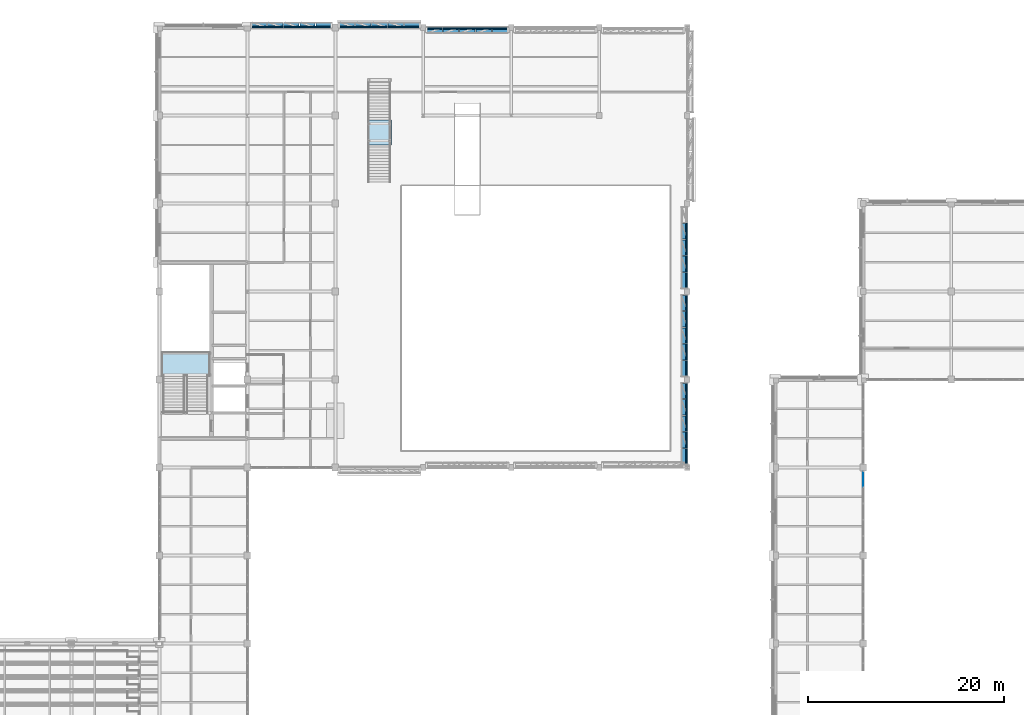
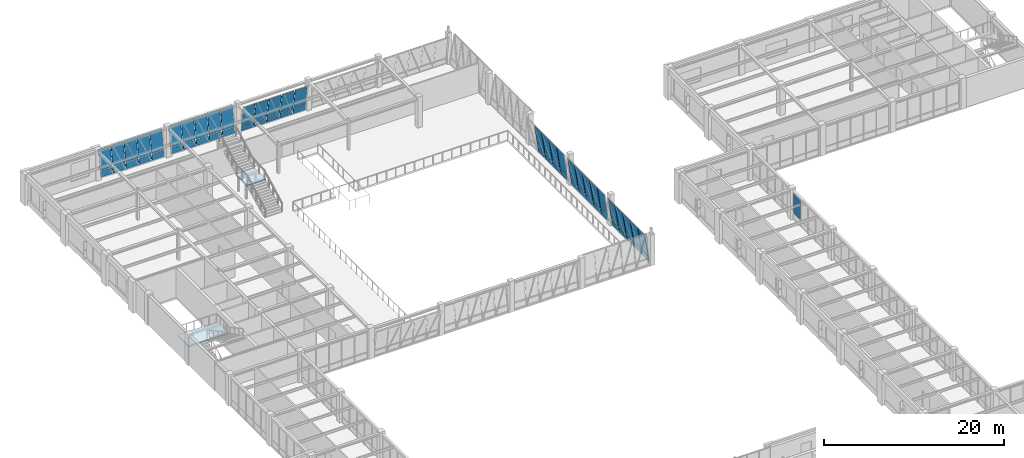
# One storey, part 84 of 108: 59 plates, 2 slabs, 9 elements without a shape of their own.
"""IFC4 building model written with IfcOpenShell, lengths in metres."""

import ifcopenshell
import ifcopenshell.guid

model = None  # the IFC model being written
_history = None  # IfcOwnerHistory: only IFC2X3 demands one
_inside = {}  # id of a spatial element -> (the spatial element, [elements in it])
_under = {}  # id of a project, library or spatial element -> (it, [spatial elements below it])
_declared = {}  # id of a project -> (the project, [libraries it declares])
_typed = {}  # id of a type object -> (the type object, [elements of that type])
_made_of = {}  # id of a material, layer set ... -> (it, [elements and type objects made of it])


def new_model(schema):
    """Start an empty IFC model of exactly this schema.

    Asked for "IFC4X3", IfcOpenShell would pick the latest addendum, in which some entities
    have other attributes; the version numbers below select the first issue.
    IFC2X3 requires an IfcOwnerHistory on every rooted entity: one is made here for all.
    """
    global model, _history
    if schema == "IFC4X3":
        model = ifcopenshell.file(schema_version=(4, 3, 0, 0))
    else:
        model = ifcopenshell.file(schema=schema)
    _inside.clear()
    _under.clear()
    _declared.clear()
    _typed.clear()
    _made_of.clear()
    _history = None
    if model.schema == "IFC2X3":
        org = make("IfcOrganization", Name="unknown")
        user = make(
            "IfcPersonAndOrganization",
            ThePerson=make("IfcPerson", FamilyName="unknown"),
            TheOrganization=org,
        )
        app = make(
            "IfcApplication",
            ApplicationDeveloper=org,
            Version="unknown",
            ApplicationFullName="unknown",
            ApplicationIdentifier="unknown",
        )
        _history = make(
            "IfcOwnerHistory",
            OwningUser=user,
            OwningApplication=app,
            ChangeAction="ADDED",
            CreationDate=0,
        )
    return model


def make(cls, **values):
    """One entity of the class cls with the attributes given. An attribute that is None is left unset."""
    return model.create_entity(
        cls, **{name: value for name, value in values.items() if value is not None}
    )


def rooted(cls, **values):
    """An entity with a GlobalId (a new one), such as an element, a storey or a relation."""
    return make(cls, GlobalId=ifcopenshell.guid.new(), OwnerHistory=_history, **values)


def si_unit(unit_type, name, prefix=None):
    """IfcSIUnit, for example si_unit("LENGTHUNIT", "METRE", prefix="MILLI")."""
    return make("IfcSIUnit", UnitType=unit_type, Prefix=prefix, Name=name)


def assignment(units):
    """IfcUnitAssignment: the units of a project."""
    return None if units is None else make("IfcUnitAssignment", Units=units)


def point(xyz):
    """IfcCartesianPoint."""
    return None if xyz is None else make("IfcCartesianPoint", Coordinates=xyz)


def direction(xyz):
    """IfcDirection."""
    return None if xyz is None else make("IfcDirection", DirectionRatios=xyz)


def frame(location, z_axis=None, x_axis=None):
    """IfcAxis2Placement3D, a coordinate frame: its origin and axes. An axis left out is left unset."""
    return make(
        "IfcAxis2Placement3D",
        Location=point(location),
        Axis=direction(z_axis),
        RefDirection=direction(x_axis),
    )


def frame_2d(location, x_axis=None):
    """IfcAxis2Placement2D, a coordinate frame in the plane: its origin and x axis."""
    return make(
        "IfcAxis2Placement2D", Location=point(location), RefDirection=direction(x_axis)
    )


def origin():
    """The frame at (0, 0, 0) with its axes left unset."""
    return frame((0.0, 0.0, 0.0))


def origin_2d():
    """The frame at (0, 0) in the plane with its x axis left unset."""
    return frame_2d((0.0, 0.0))


def place(relative_to, where):
    """IfcLocalPlacement: puts the frame where relative to a parent placement (None: the world)."""
    return make(
        "IfcLocalPlacement", PlacementRelTo=relative_to, RelativePlacement=where
    )


def context(
    kind, dimensions, precision=None, world=None, true_north=None, identifier=None
):
    """IfcGeometricRepresentationContext, for example the 3D "Model" context."""
    return make(
        "IfcGeometricRepresentationContext",
        ContextIdentifier=identifier,
        ContextType=kind,
        CoordinateSpaceDimension=dimensions,
        Precision=precision,
        WorldCoordinateSystem=world,
        TrueNorth=true_north,
    )


def subcontext(parent, identifier, kind, view, scale=None):
    """IfcGeometricRepresentationSubContext, for example "Body" below "Model"."""
    return make(
        "IfcGeometricRepresentationSubContext",
        ContextIdentifier=identifier,
        ContextType=kind,
        ParentContext=parent,
        TargetScale=scale,
        TargetView=view,
    )


def project(units=None, contexts=None):
    """IfcProject with its units and contexts."""
    return rooted(
        "IfcProject",
        Name="project",
        RepresentationContexts=contexts,
        UnitsInContext=assignment(units),
    )


def spatial(cls, under=None, at=None, **own):
    """A site, building, storey or space (cls), placed at a placement, below another one or the project."""
    s = rooted(cls, ObjectPlacement=at, **own)
    if under is not None:
        _under.setdefault(under.id(), (under, []))[1].append(s)
    return s


def polyline(points):
    """IfcPolyline through the points."""
    return make("IfcPolyline", Points=[point(p) for p in points])


def profile(cls, at=None, kind="AREA", **sizes):
    """A parametric profile (cls). Its sizes go by their IFC names, for example OverallWidth=200.0."""
    return make(cls, ProfileType=kind, Position=at, **sizes)


def rectangle(**sizes):
    """IfcRectangleProfileDef."""
    return profile("IfcRectangleProfileDef", **sizes)


def outline(outer, holes=None, kind="AREA"):
    """IfcArbitraryClosedProfileDef: a profile drawn as a closed curve; with holes, ...WithVoids."""
    if holes is None:
        return make("IfcArbitraryClosedProfileDef", ProfileType=kind, OuterCurve=outer)
    return make(
        "IfcArbitraryProfileDefWithVoids",
        ProfileType=kind,
        OuterCurve=outer,
        InnerCurves=holes,
    )


def extrude(swept, where, along, depth):
    """IfcExtrudedAreaSolid: the profile swept, set in the frame where, extruded along a direction by depth."""
    return make(
        "IfcExtrudedAreaSolid",
        SweptArea=swept,
        Position=where,
        ExtrudedDirection=direction(along),
        Depth=depth,
    )


def shape(context_of_items, identifier, shape_type, items):
    """IfcShapeRepresentation: the items that make up one representation, for example the "Body"."""
    return make(
        "IfcShapeRepresentation",
        ContextOfItems=context_of_items,
        RepresentationIdentifier=identifier,
        RepresentationType=shape_type,
        Items=items,
    )


def material(Name=None, Category=None):
    """IfcMaterial."""
    return make("IfcMaterial", Name=Name, Category=Category)


def layer(
    of_material, thickness, ventilated=None, Name=None, Category=None, Priority=None
):
    """IfcMaterialLayer: one layer of a wall or slab, of a material (None: an air gap)."""
    return make(
        "IfcMaterialLayer",
        Material=of_material,
        LayerThickness=thickness,
        IsVentilated=ventilated,
        Name=Name,
        Category=Category,
        Priority=Priority,
    )


def layer_set(layers, Name=None):
    """IfcMaterialLayerSet."""
    return make("IfcMaterialLayerSet", MaterialLayers=layers, LayerSetName=Name)


def made_of(thing, what):
    """Note that an element or type object is made of a material, layer set ...; save() writes the relation."""
    if what is not None:
        _made_of.setdefault(what.id(), (what, []))[1].append(thing)
    return thing


def type_object(cls, material=None, **own):
    """A type object (cls), such as IfcWallType, which elements share."""
    return made_of(rooted(cls, **own), material)


def element(
    cls,
    number,
    at=None,
    inside=None,
    cuts=None,
    type_object=None,
    material=None,
    context=None,
    identifier="Body",
    shape_type=None,
    held_by="IfcProductDefinitionShape",
    body=None,
    shapes=None,
    **own,
):
    """One element of the class cls, such as IfcWall. Its Tag is "e" and its number.

    at: its placement. inside: the storey or other place that contains it. cuts: it is an
    opening in that element (IfcRelVoidsElement). A single representation is given by context,
    identifier, shape_type and body (its items); several are given by shapes. held_by: the class
    of the entity that holds the representations. save() writes the other relations.
    """
    e = rooted(cls, Tag="e%d" % number, ObjectPlacement=at, **own)
    if body is not None:
        shapes = [shape(context, identifier, shape_type, body)]
    if shapes is not None:
        e.Representation = make(held_by, Representations=shapes)
    if inside is not None:
        _inside.setdefault(inside.id(), (inside, []))[1].append(e)
    if cuts is not None:
        rooted(
            "IfcRelVoidsElement", RelatingBuildingElement=cuts, RelatedOpeningElement=e
        )
    if type_object is not None:
        _typed.setdefault(type_object.id(), (type_object, []))[1].append(e)
    return made_of(e, material)


def aggregate(whole, parts):
    """IfcRelAggregates: a whole, such as a stair, and the parts it consists of."""
    return rooted("IfcRelAggregates", RelatingObject=whole, RelatedObjects=parts)


def save(model, path):
    """Write the relations noted so far, then the file.

    IfcRelAggregates (storeys below a building ...), IfcRelContainedInSpatialStructure (elements
    in a storey), IfcRelDefinesByType, IfcRelAssociatesMaterial and IfcRelDeclares: one each for
    every whole, place, type object, material and project.
    """
    for whole, parts in _under.values():
        aggregate(whole, parts)
    for where, things in _inside.values():
        rooted(
            "IfcRelContainedInSpatialStructure",
            RelatedElements=things,
            RelatingStructure=where,
        )
    for kind, things in _typed.values():
        rooted("IfcRelDefinesByType", RelatedObjects=things, RelatingType=kind)
    for what, things in _made_of.values():
        rooted("IfcRelAssociatesMaterial", RelatedObjects=things, RelatingMaterial=what)
    for by, libraries in _declared.values():
        rooted("IfcRelDeclares", RelatingContext=by, RelatedDefinitions=libraries)
    model.write(path)


model = new_model("IFC4")

# Units and contexts
model_context = context("Model", 3, precision=1e-05, world=origin(), true_north=direction((0.0, 1.0)))
body_context = subcontext(model_context, "Body", "Model", "MODEL_VIEW")
ifc_project = project(units=[si_unit("LENGTHUNIT", "METRE"), si_unit("AREAUNIT", "SQUARE_METRE"), si_unit("VOLUMEUNIT", "CUBIC_METRE"), si_unit("PLANEANGLEUNIT", "RADIAN"), si_unit("MASSUNIT", "GRAM", prefix="KILO")], contexts=[model_context])

# Site, building, storey
site_placement = place(None, origin())
site = spatial("IfcSite", under=ifc_project, at=site_placement, CompositionType="ELEMENT")
building_placement = place(site_placement, origin())
building = spatial("IfcBuilding", under=site, at=building_placement, Name="Lykobir Media Centre", CompositionType="ELEMENT")
storey_placement = place(building_placement, frame((0.0, 0.0, 15.0)))
storey = spatial("IfcBuildingStorey", under=building, at=storey_placement, Name="L03", CompositionType="ELEMENT", Elevation=15.0)

# Curtain wall, plate
ifc_material_1 = material(Name="Anodized Aluminium AW-6060", Category="aluminium")
curtain_wall_type_1 = type_object("IfcCurtainWallType", Name="CW-COURT-B", PredefinedType="NOTDEFINED", material=ifc_material_1)
curtain_wall_1_placement = place(storey_placement, origin())
curtain_wall_1 = element("IfcCurtainWall", 1, at=curtain_wall_1_placement, inside=storey, type_object=curtain_wall_type_1, Name="Curtain wall CW2-L03-0144", PredefinedType="NOTDEFINED")
ifc_material_2 = material(Name="Low-E Laminated Triple Glazing", Category="glass")
ifc_layer_1 = layer(ifc_material_2, 0.0380859375, Name="Low-E Laminated Triple Glazing")
ifc_layer_set_1 = layer_set([ifc_layer_1], Name="Low-E Laminated Triple Glazing")
plate_type_1 = type_object("IfcPlateType", Name="CWP-GLZ-38", PredefinedType="CURTAIN_PANEL", material=ifc_layer_set_1)
plate_1_placement = place(storey_placement, frame((99.0, 61.80224609375, 0.87744140625), z_axis=(0.0, 0.0, 1.0), x_axis=(0.0, -1.0, 0.0)))
plate_1 = element("IfcPlate", 2, at=plate_1_placement, type_object=plate_type_1, Name="CW2-L03-0144 panel 1.2", PredefinedType="CURTAIN_PANEL", context=body_context, shape_type="SweptSolid", body=[
    extrude(rectangle(XDim=1.575439453125, YDim=0.0380859375, at=origin_2d()), origin(), (0.0, 0.0, 1.0), 2.702392578125),
])
aggregate(curtain_wall_1, [plate_1])

# Curtain wall, plates
curtain_wall_type_2 = type_object("IfcCurtainWallType", Name="CW-V6-CR3", PredefinedType="NOTDEFINED", material=ifc_material_1)
curtain_wall_2_placement = place(storey_placement, origin())
curtain_wall_2 = element("IfcCurtainWall", 3, at=curtain_wall_2_placement, inside=storey, type_object=curtain_wall_type_2, Name="Curtain wall CW2-L03-0125", PredefinedType="NOTDEFINED")
ifc_layer_2 = layer(ifc_material_2, 0.0439453125, Name="Low-E Laminated Triple Glazing")
ifc_layer_set_2 = layer_set([ifc_layer_2], Name="Low-E Laminated Triple Glazing")
plate_type_2 = type_object("IfcPlateType", Name="CWP-GLZ-44", PredefinedType="CURTAIN_PANEL", material=ifc_layer_set_2)
plate_2_placement = place(storey_placement, frame((80.873291015625, 70.837158203125, 0.87841796875), z_axis=(-0.142628933706, 0.0, 0.989776230908), x_axis=(0.0, -1.0, 0.0)))
plate_2 = element("IfcPlate", 4, at=plate_2_placement, type_object=plate_type_2, Name="CW2-L03-0125 panel 1.2", PredefinedType="CURTAIN_PANEL", context=body_context, shape_type="SweptSolid", body=[
    extrude(rectangle(XDim=1.5654296875, YDim=0.0439453125, at=origin_2d()), origin(), (0.0, 0.0, 1.0), 3.018310546875),
])
plate_3_placement = place(storey_placement, frame((80.873291015625, 69.177978515625, 0.87841796875), z_axis=(-0.142628933706, 0.0, 0.989776230908), x_axis=(0.0, -1.0, 0.0)))
plate_3 = element("IfcPlate", 5, at=plate_3_placement, type_object=plate_type_2, Name="CW2-L03-0125 panel 2.2", PredefinedType="CURTAIN_PANEL", context=body_context, shape_type="SweptSolid", body=[
    extrude(rectangle(XDim=1.60302734375, YDim=0.0439453125, at=origin_2d()), origin(), (0.0, 0.0, 1.0), 3.018310546875),
])
plate_4_placement = place(storey_placement, frame((80.873291015625, 67.5, 0.87841796875), z_axis=(-0.142628933706, 0.0, 0.989776230908), x_axis=(0.0, -1.0, 0.0)))
plate_4 = element("IfcPlate", 6, at=plate_4_placement, type_object=plate_type_2, Name="CW2-L03-0125 panel 3.2", PredefinedType="CURTAIN_PANEL", context=body_context, shape_type="SweptSolid", body=[
    extrude(rectangle(XDim=1.60302734375, YDim=0.0439453125, at=origin_2d()), origin(), (0.0, 0.0, 1.0), 3.018310546875),
])
plate_5_placement = place(storey_placement, frame((80.873291015625, 65.822021484375, 0.87841796875), z_axis=(-0.142628933706, 0.0, 0.989776230908), x_axis=(0.0, -1.0, 0.0)))
plate_5 = element("IfcPlate", 7, at=plate_5_placement, type_object=plate_type_2, Name="CW2-L03-0125 panel 4.2", PredefinedType="CURTAIN_PANEL", context=body_context, shape_type="SweptSolid", body=[
    extrude(rectangle(XDim=1.60302734375, YDim=0.0439453125, at=origin_2d()), origin(), (0.0, 0.0, 1.0), 3.018310546875),
])
plate_6_placement = place(storey_placement, frame((80.873291015625, 64.162841796875, 0.87841796875), z_axis=(-0.142628933706, 0.0, 0.989776230908), x_axis=(0.0, -1.0, 0.0)))
plate_6 = element("IfcPlate", 8, at=plate_6_placement, type_object=plate_type_2, Name="CW2-L03-0125 panel 5.2", PredefinedType="CURTAIN_PANEL", context=body_context, shape_type="SweptSolid", body=[
    extrude(rectangle(XDim=1.5654296875, YDim=0.0439453125, at=origin_2d()), origin(), (0.0, 0.0, 1.0), 3.018310546875),
])

curtain_wall_3_placement = place(storey_placement, origin())
curtain_wall_3 = element("IfcCurtainWall", 9, at=curtain_wall_3_placement, inside=storey, type_object=curtain_wall_type_2, Name="Curtain wall CW2-L03-0126", PredefinedType="NOTDEFINED")
plate_7_placement = place(storey_placement, frame((80.873291015625, 79.837158203125, 0.87841796875), z_axis=(-0.142628933706, 0.0, 0.989776230908), x_axis=(0.0, -1.0, 0.0)))
plate_7 = element("IfcPlate", 10, at=plate_7_placement, type_object=plate_type_2, Name="CW2-L03-0126 panel 1.2", PredefinedType="CURTAIN_PANEL", context=body_context, shape_type="SweptSolid", body=[
    extrude(rectangle(XDim=1.5654296875, YDim=0.0439453125, at=origin_2d()), origin(), (0.0, 0.0, 1.0), 3.018310546875),
])
plate_8_placement = place(storey_placement, frame((80.873291015625, 78.177978515625, 0.87841796875), z_axis=(-0.142628933706, 0.0, 0.989776230908), x_axis=(0.0, -1.0, 0.0)))
plate_8 = element("IfcPlate", 11, at=plate_8_placement, type_object=plate_type_2, Name="CW2-L03-0126 panel 2.2", PredefinedType="CURTAIN_PANEL", context=body_context, shape_type="SweptSolid", body=[
    extrude(rectangle(XDim=1.60302734375, YDim=0.0439453125, at=origin_2d()), origin(), (0.0, 0.0, 1.0), 3.018310546875),
])
plate_9_placement = place(storey_placement, frame((80.873291015625, 76.5, 0.87841796875), z_axis=(-0.142628933706, 0.0, 0.989776230908), x_axis=(0.0, -1.0, 0.0)))
plate_9 = element("IfcPlate", 12, at=plate_9_placement, type_object=plate_type_2, Name="CW2-L03-0126 panel 3.2", PredefinedType="CURTAIN_PANEL", context=body_context, shape_type="SweptSolid", body=[
    extrude(rectangle(XDim=1.60302734375, YDim=0.0439453125, at=origin_2d()), origin(), (0.0, 0.0, 1.0), 3.018310546875),
])
plate_10_placement = place(storey_placement, frame((80.873291015625, 74.822021484375, 0.87841796875), z_axis=(-0.142628933706, 0.0, 0.989776230908), x_axis=(0.0, -1.0, 0.0)))
plate_10 = element("IfcPlate", 13, at=plate_10_placement, type_object=plate_type_2, Name="CW2-L03-0126 panel 4.2", PredefinedType="CURTAIN_PANEL", context=body_context, shape_type="SweptSolid", body=[
    extrude(rectangle(XDim=1.60302734375, YDim=0.0439453125, at=origin_2d()), origin(), (0.0, 0.0, 1.0), 3.018310546875),
])
plate_11_placement = place(storey_placement, frame((80.873291015625, 73.162841796875, 0.87841796875), z_axis=(-0.142628933706, 0.0, 0.989776230908), x_axis=(0.0, -1.0, 0.0)))
plate_11 = element("IfcPlate", 14, at=plate_11_placement, type_object=plate_type_2, Name="CW2-L03-0126 panel 5.2", PredefinedType="CURTAIN_PANEL", context=body_context, shape_type="SweptSolid", body=[
    extrude(rectangle(XDim=1.5654296875, YDim=0.0439453125, at=origin_2d()), origin(), (0.0, 0.0, 1.0), 3.018310546875),
])

curtain_wall_4_placement = place(storey_placement, origin())
curtain_wall_4 = element("IfcCurtainWall", 15, at=curtain_wall_4_placement, inside=storey, type_object=curtain_wall_type_2, Name="Curtain wall CW2-L03-0127", PredefinedType="NOTDEFINED")
plate_12_placement = place(storey_placement, frame((80.873291015625, 87.177978515625, 0.87841796875), z_axis=(-0.142628933706, 0.0, 0.989776230908), x_axis=(0.0, -1.0, 0.0)))
plate_12 = element("IfcPlate", 16, at=plate_12_placement, type_object=plate_type_2, Name="CW2-L03-0127 panel 2.2", PredefinedType="CURTAIN_PANEL", context=body_context, shape_type="SweptSolid", body=[
    extrude(rectangle(XDim=1.60302734375, YDim=0.0439453125, at=origin_2d()), origin(), (0.0, 0.0, 1.0), 3.018310546875),
])
plate_13_placement = place(storey_placement, frame((80.873291015625, 85.5, 0.87841796875), z_axis=(-0.142628933706, 0.0, 0.989776230908), x_axis=(0.0, -1.0, 0.0)))
plate_13 = element("IfcPlate", 17, at=plate_13_placement, type_object=plate_type_2, Name="CW2-L03-0127 panel 3.2", PredefinedType="CURTAIN_PANEL", context=body_context, shape_type="SweptSolid", body=[
    extrude(rectangle(XDim=1.60302734375, YDim=0.0439453125, at=origin_2d()), origin(), (0.0, 0.0, 1.0), 3.018310546875),
])
plate_14_placement = place(storey_placement, frame((80.873291015625, 83.822021484375, 0.87841796875), z_axis=(-0.142628933706, 0.0, 0.989776230908), x_axis=(0.0, -1.0, 0.0)))
plate_14 = element("IfcPlate", 18, at=plate_14_placement, type_object=plate_type_2, Name="CW2-L03-0127 panel 4.2", PredefinedType="CURTAIN_PANEL", context=body_context, shape_type="SweptSolid", body=[
    extrude(rectangle(XDim=1.60302734375, YDim=0.0439453125, at=origin_2d()), origin(), (0.0, 0.0, 1.0), 3.018310546875),
])
plate_15_placement = place(storey_placement, frame((80.873291015625, 82.162841796875, 0.87841796875), z_axis=(-0.142628933706, 0.0, 0.989776230908), x_axis=(0.0, -1.0, 0.0)))
plate_15 = element("IfcPlate", 19, at=plate_15_placement, type_object=plate_type_2, Name="CW2-L03-0127 panel 5.2", PredefinedType="CURTAIN_PANEL", context=body_context, shape_type="SweptSolid", body=[
    extrude(rectangle(XDim=1.5654296875, YDim=0.0439453125, at=origin_2d()), origin(), (0.0, 0.0, 1.0), 3.018310546875),
])

curtain_wall_5_placement = place(storey_placement, origin())
curtain_wall_5 = element("IfcCurtainWall", 20, at=curtain_wall_5_placement, inside=storey, type_object=curtain_wall_type_2, Name="Curtain wall CW2-L03-0130", PredefinedType="NOTDEFINED")
plate_16_placement = place(storey_placement, frame((43.79736328125, 108.126708984375, 0.87841796875), z_axis=(0.0, 0.142628933706, 0.989776230908), x_axis=(-1.0, 0.0, 0.0)))
plate_16 = element("IfcPlate", 21, at=plate_16_placement, type_object=plate_type_2, Name="CW2-L03-0130 panel 1.2", PredefinedType="CURTAIN_PANEL", context=body_context, shape_type="SweptSolid", body=[
    extrude(rectangle(XDim=1.54541015625, YDim=0.0439453125, at=origin_2d()), origin(), (0.0, 0.0, 1.0), 2.7099609375),
])
plate_17_placement = place(storey_placement, frame((42.157958984375, 108.126708984375, 0.87841796875), z_axis=(0.0, 0.142628933706, 0.989776230908), x_axis=(-1.0, 0.0, 0.0)))
plate_17 = element("IfcPlate", 22, at=plate_17_placement, type_object=plate_type_2, Name="CW2-L03-0130 panel 2.2", PredefinedType="CURTAIN_PANEL", context=body_context, shape_type="SweptSolid", body=[
    extrude(rectangle(XDim=1.5830078125, YDim=0.0439453125, at=origin_2d()), origin(), (0.0, 0.0, 1.0), 2.7099609375),
])
plate_18_placement = place(storey_placement, frame((40.5, 108.126708984375, 0.87841796875), z_axis=(0.0, 0.142628933706, 0.989776230908), x_axis=(-1.0, 0.0, 0.0)))
plate_18 = element("IfcPlate", 23, at=plate_18_placement, type_object=plate_type_2, Name="CW2-L03-0130 panel 3.2", PredefinedType="CURTAIN_PANEL", context=body_context, shape_type="SweptSolid", body=[
    extrude(rectangle(XDim=1.5830078125, YDim=0.0439453125, at=origin_2d()), origin(), (0.0, 0.0, 1.0), 2.7099609375),
])
plate_19_placement = place(storey_placement, frame((38.842041015625, 108.126708984375, 0.87841796875), z_axis=(0.0, 0.142628933706, 0.989776230908), x_axis=(-1.0, 0.0, 0.0)))
plate_19 = element("IfcPlate", 24, at=plate_19_placement, type_object=plate_type_2, Name="CW2-L03-0130 panel 4.2", PredefinedType="CURTAIN_PANEL", context=body_context, shape_type="SweptSolid", body=[
    extrude(rectangle(XDim=1.5830078125, YDim=0.0439453125, at=origin_2d()), origin(), (0.0, 0.0, 1.0), 2.7099609375),
])
plate_20_placement = place(storey_placement, frame((37.20263671875, 108.126708984375, 0.87841796875), z_axis=(0.0, 0.142628933706, 0.989776230908), x_axis=(-1.0, 0.0, 0.0)))
plate_20 = element("IfcPlate", 25, at=plate_20_placement, type_object=plate_type_2, Name="CW2-L03-0130 panel 5.2", PredefinedType="CURTAIN_PANEL", context=body_context, shape_type="SweptSolid", body=[
    extrude(rectangle(XDim=1.54541015625, YDim=0.0439453125, at=origin_2d()), origin(), (0.0, 0.0, 1.0), 2.7099609375),
])

curtain_wall_6_placement = place(storey_placement, origin())
curtain_wall_6 = element("IfcCurtainWall", 26, at=curtain_wall_6_placement, inside=storey, type_object=curtain_wall_type_2, Name="Curtain wall CW2-L03-0131", PredefinedType="NOTDEFINED")
plate_21_placement = place(storey_placement, frame((52.84228515625, 108.126708984375, 0.87841796875), z_axis=(0.0, 0.142628933706, 0.989776230908), x_axis=(-1.0, 0.0, 0.0)))
plate_21 = element("IfcPlate", 27, at=plate_21_placement, type_object=plate_type_2, Name="CW2-L03-0131 panel 1.2", PredefinedType="CURTAIN_PANEL", context=body_context, shape_type="SweptSolid", body=[
    extrude(rectangle(XDim=1.555419921875, YDim=0.0439453125, at=origin_2d()), origin(), (0.0, 0.0, 1.0), 2.7099609375),
])
plate_22_placement = place(storey_placement, frame((51.193115234375, 108.126708984375, 0.87841796875), z_axis=(0.0, 0.142628933706, 0.989776230908), x_axis=(-1.0, 0.0, 0.0)))
plate_22 = element("IfcPlate", 28, at=plate_22_placement, type_object=plate_type_2, Name="CW2-L03-0131 panel 2.2", PredefinedType="CURTAIN_PANEL", context=body_context, shape_type="SweptSolid", body=[
    extrude(rectangle(XDim=1.593017578125, YDim=0.0439453125, at=origin_2d()), origin(), (0.0, 0.0, 1.0), 2.7099609375),
])
plate_23_placement = place(storey_placement, frame((49.52490234375, 108.126708984375, 0.87841796875), z_axis=(0.0, 0.142628933706, 0.989776230908), x_axis=(-1.0, 0.0, 0.0)))
plate_23 = element("IfcPlate", 29, at=plate_23_placement, type_object=plate_type_2, Name="CW2-L03-0131 panel 3.2", PredefinedType="CURTAIN_PANEL", context=body_context, shape_type="SweptSolid", body=[
    extrude(rectangle(XDim=1.593017578125, YDim=0.0439453125, at=origin_2d()), origin(), (0.0, 0.0, 1.0), 2.7099609375),
])
plate_24_placement = place(storey_placement, frame((47.85693359375, 108.126708984375, 0.87841796875), z_axis=(0.0, 0.142628933706, 0.989776230908), x_axis=(-1.0, 0.0, 0.0)))
plate_24 = element("IfcPlate", 30, at=plate_24_placement, type_object=plate_type_2, Name="CW2-L03-0131 panel 4.2", PredefinedType="CURTAIN_PANEL", context=body_context, shape_type="SweptSolid", body=[
    extrude(rectangle(XDim=1.593017578125, YDim=0.0439453125, at=origin_2d()), origin(), (0.0, 0.0, 1.0), 2.7099609375),
])
plate_25_placement = place(storey_placement, frame((46.207763671875, 108.126708984375, 0.87841796875), z_axis=(0.0, 0.142628933706, 0.989776230908), x_axis=(-1.0, 0.0, 0.0)))
plate_25 = element("IfcPlate", 31, at=plate_25_placement, type_object=plate_type_2, Name="CW2-L03-0131 panel 5.2", PredefinedType="CURTAIN_PANEL", context=body_context, shape_type="SweptSolid", body=[
    extrude(rectangle(XDim=1.555419921875, YDim=0.0439453125, at=origin_2d()), origin(), (0.0, 0.0, 1.0), 2.7099609375),
])

curtain_wall_7_placement = place(storey_placement, origin())
curtain_wall_7 = element("IfcCurtainWall", 32, at=curtain_wall_7_placement, inside=storey, type_object=curtain_wall_type_2, Name="Curtain wall CW2-L03-0132", PredefinedType="NOTDEFINED")
plate_26_placement = place(storey_placement, frame((55.162841796875, 107.873291015625, 0.87841796875), z_axis=(0.0, -0.142628933706, 0.989776230908), x_axis=(1.0, 0.0, 0.0)))
plate_26 = element("IfcPlate", 33, at=plate_26_placement, type_object=plate_type_2, Name="CW2-L03-0132 panel 1.2", PredefinedType="CURTAIN_PANEL", context=body_context, shape_type="SweptSolid", body=[
    extrude(rectangle(XDim=1.5654296875, YDim=0.0439453125, at=origin_2d()), origin(), (0.0, 0.0, 1.0), 2.7099609375),
])
plate_27_placement = place(storey_placement, frame((56.822021484375, 107.873291015625, 0.87841796875), z_axis=(0.0, -0.142628933706, 0.989776230908), x_axis=(1.0, 0.0, 0.0)))
plate_27 = element("IfcPlate", 34, at=plate_27_placement, type_object=plate_type_2, Name="CW2-L03-0132 panel 2.2", PredefinedType="CURTAIN_PANEL", context=body_context, shape_type="SweptSolid", body=[
    extrude(rectangle(XDim=1.60302734375, YDim=0.0439453125, at=origin_2d()), origin(), (0.0, 0.0, 1.0), 2.7099609375),
])
plate_28_placement = place(storey_placement, frame((58.5, 107.873291015625, 0.87841796875), z_axis=(0.0, -0.142628933706, 0.989776230908), x_axis=(1.0, 0.0, 0.0)))
plate_28 = element("IfcPlate", 35, at=plate_28_placement, type_object=plate_type_2, Name="CW2-L03-0132 panel 3.2", PredefinedType="CURTAIN_PANEL", context=body_context, shape_type="SweptSolid", body=[
    extrude(rectangle(XDim=1.60302734375, YDim=0.0439453125, at=origin_2d()), origin(), (0.0, 0.0, 1.0), 2.7099609375),
])
plate_29_placement = place(storey_placement, frame((60.177978515625, 107.873291015625, 0.87841796875), z_axis=(0.0, -0.142628933706, 0.989776230908), x_axis=(1.0, 0.0, 0.0)))
plate_29 = element("IfcPlate", 36, at=plate_29_placement, type_object=plate_type_2, Name="CW2-L03-0132 panel 4.2", PredefinedType="CURTAIN_PANEL", context=body_context, shape_type="SweptSolid", body=[
    extrude(rectangle(XDim=1.60302734375, YDim=0.0439453125, at=origin_2d()), origin(), (0.0, 0.0, 1.0), 2.7099609375),
])
plate_30_placement = place(storey_placement, frame((61.837158203125, 107.873291015625, 0.87841796875), z_axis=(0.0, -0.142628933706, 0.989776230908), x_axis=(1.0, 0.0, 0.0)))
plate_30 = element("IfcPlate", 37, at=plate_30_placement, type_object=plate_type_2, Name="CW2-L03-0132 panel 5.2", PredefinedType="CURTAIN_PANEL", context=body_context, shape_type="SweptSolid", body=[
    extrude(rectangle(XDim=1.5654296875, YDim=0.0439453125, at=origin_2d()), origin(), (0.0, 0.0, 1.0), 2.7099609375),
])

# Plate
ifc_material_3 = material(Name="Pre-Weathered Titanium-Zinc", Category="metal")
ifc_layer_3 = layer(ifc_material_3, 0.052001953125, Name="Pre-Weathered Titanium-Zinc")
ifc_layer_set_3 = layer_set([ifc_layer_3], Name="Pre-Weathered Titanium-Zinc")
plate_type_3 = type_object("IfcPlateType", Name="CWP-SPN-52", PredefinedType="CURTAIN_PANEL", material=ifc_layer_set_3)
plate_31_placement = place(storey_placement, frame((80.9892578125, 70.837158203125, 0.07421875), z_axis=(-0.142628933706, 0.0, 0.989776230908), x_axis=(0.0, -1.0, 0.0)))
plate_31 = element("IfcPlate", 38, at=plate_31_placement, type_object=plate_type_3, Name="CW2-L03-0125 panel 1.1", PredefinedType="CURTAIN_PANEL", context=body_context, shape_type="SweptSolid", body=[
    extrude(rectangle(XDim=1.5654296875, YDim=0.052001953125, at=origin_2d()), origin(), (0.0, 0.0, 1.0), 0.737548828125),
])

plate_32_placement = place(storey_placement, frame((80.9892578125, 69.177978515625, 0.07421875), z_axis=(-0.142628933706, 0.0, 0.989776230908), x_axis=(0.0, -1.0, 0.0)))
plate_32 = element("IfcPlate", 39, at=plate_32_placement, type_object=plate_type_3, Name="CW2-L03-0125 panel 2.1", PredefinedType="CURTAIN_PANEL", context=body_context, shape_type="SweptSolid", body=[
    extrude(rectangle(XDim=1.60302734375, YDim=0.052001953125, at=origin_2d()), origin(), (0.0, 0.0, 1.0), 0.737548828125),
])

plate_33_placement = place(storey_placement, frame((80.9892578125, 67.5, 0.07421875), z_axis=(-0.142628933706, 0.0, 0.989776230908), x_axis=(0.0, -1.0, 0.0)))
plate_33 = element("IfcPlate", 40, at=plate_33_placement, type_object=plate_type_3, Name="CW2-L03-0125 panel 3.1", PredefinedType="CURTAIN_PANEL", context=body_context, shape_type="SweptSolid", body=[
    extrude(rectangle(XDim=1.60302734375, YDim=0.052001953125, at=origin_2d()), origin(), (0.0, 0.0, 1.0), 0.737548828125),
])

plate_34_placement = place(storey_placement, frame((80.9892578125, 65.822021484375, 0.07421875), z_axis=(-0.142628933706, 0.0, 0.989776230908), x_axis=(0.0, -1.0, 0.0)))
plate_34 = element("IfcPlate", 41, at=plate_34_placement, type_object=plate_type_3, Name="CW2-L03-0125 panel 4.1", PredefinedType="CURTAIN_PANEL", context=body_context, shape_type="SweptSolid", body=[
    extrude(rectangle(XDim=1.60302734375, YDim=0.052001953125, at=origin_2d()), origin(), (0.0, 0.0, 1.0), 0.737548828125),
])

plate_35_placement = place(storey_placement, frame((80.9892578125, 64.162841796875, 0.07421875), z_axis=(-0.142628933706, 0.0, 0.989776230908), x_axis=(0.0, -1.0, 0.0)))
plate_35 = element("IfcPlate", 42, at=plate_35_placement, type_object=plate_type_3, Name="CW2-L03-0125 panel 5.1", PredefinedType="CURTAIN_PANEL", context=body_context, shape_type="SweptSolid", body=[
    extrude(rectangle(XDim=1.5654296875, YDim=0.052001953125, at=origin_2d()), origin(), (0.0, 0.0, 1.0), 0.737548828125),
])

aggregate(curtain_wall_2, [plate_31, plate_2, plate_32, plate_3, plate_33, plate_4, plate_34, plate_5, plate_35, plate_6])

plate_36_placement = place(storey_placement, frame((80.9892578125, 79.837158203125, 0.07421875), z_axis=(-0.142628933706, 0.0, 0.989776230908), x_axis=(0.0, -1.0, 0.0)))
plate_36 = element("IfcPlate", 43, at=plate_36_placement, type_object=plate_type_3, Name="CW2-L03-0126 panel 1.1", PredefinedType="CURTAIN_PANEL", context=body_context, shape_type="SweptSolid", body=[
    extrude(rectangle(XDim=1.5654296875, YDim=0.052001953125, at=origin_2d()), origin(), (0.0, 0.0, 1.0), 0.737548828125),
])

plate_37_placement = place(storey_placement, frame((80.9892578125, 78.177978515625, 0.07421875), z_axis=(-0.142628933706, 0.0, 0.989776230908), x_axis=(0.0, -1.0, 0.0)))
plate_37 = element("IfcPlate", 44, at=plate_37_placement, type_object=plate_type_3, Name="CW2-L03-0126 panel 2.1", PredefinedType="CURTAIN_PANEL", context=body_context, shape_type="SweptSolid", body=[
    extrude(rectangle(XDim=1.60302734375, YDim=0.052001953125, at=origin_2d()), origin(), (0.0, 0.0, 1.0), 0.737548828125),
])

plate_38_placement = place(storey_placement, frame((80.9892578125, 76.5, 0.07421875), z_axis=(-0.142628933706, 0.0, 0.989776230908), x_axis=(0.0, -1.0, 0.0)))
plate_38 = element("IfcPlate", 45, at=plate_38_placement, type_object=plate_type_3, Name="CW2-L03-0126 panel 3.1", PredefinedType="CURTAIN_PANEL", context=body_context, shape_type="SweptSolid", body=[
    extrude(rectangle(XDim=1.60302734375, YDim=0.052001953125, at=origin_2d()), origin(), (0.0, 0.0, 1.0), 0.737548828125),
])

plate_39_placement = place(storey_placement, frame((80.9892578125, 74.822021484375, 0.07421875), z_axis=(-0.142628933706, 0.0, 0.989776230908), x_axis=(0.0, -1.0, 0.0)))
plate_39 = element("IfcPlate", 46, at=plate_39_placement, type_object=plate_type_3, Name="CW2-L03-0126 panel 4.1", PredefinedType="CURTAIN_PANEL", context=body_context, shape_type="SweptSolid", body=[
    extrude(rectangle(XDim=1.60302734375, YDim=0.052001953125, at=origin_2d()), origin(), (0.0, 0.0, 1.0), 0.737548828125),
])

plate_40_placement = place(storey_placement, frame((80.9892578125, 73.162841796875, 0.07421875), z_axis=(-0.142628933706, 0.0, 0.989776230908), x_axis=(0.0, -1.0, 0.0)))
plate_40 = element("IfcPlate", 47, at=plate_40_placement, type_object=plate_type_3, Name="CW2-L03-0126 panel 5.1", PredefinedType="CURTAIN_PANEL", context=body_context, shape_type="SweptSolid", body=[
    extrude(rectangle(XDim=1.5654296875, YDim=0.052001953125, at=origin_2d()), origin(), (0.0, 0.0, 1.0), 0.737548828125),
])

aggregate(curtain_wall_3, [plate_36, plate_7, plate_37, plate_8, plate_38, plate_9, plate_39, plate_10, plate_40, plate_11])

plate_41_placement = place(storey_placement, frame((80.9892578125, 87.177978515625, 0.07421875), z_axis=(-0.142628933706, 0.0, 0.989776230908), x_axis=(0.0, -1.0, 0.0)))
plate_41 = element("IfcPlate", 48, at=plate_41_placement, type_object=plate_type_3, Name="CW2-L03-0127 panel 2.1", PredefinedType="CURTAIN_PANEL", context=body_context, shape_type="SweptSolid", body=[
    extrude(rectangle(XDim=1.60302734375, YDim=0.052001953125, at=origin_2d()), origin(), (0.0, 0.0, 1.0), 0.737548828125),
])

plate_42_placement = place(storey_placement, frame((80.9892578125, 85.5, 0.07421875), z_axis=(-0.142628933706, 0.0, 0.989776230908), x_axis=(0.0, -1.0, 0.0)))
plate_42 = element("IfcPlate", 49, at=plate_42_placement, type_object=plate_type_3, Name="CW2-L03-0127 panel 3.1", PredefinedType="CURTAIN_PANEL", context=body_context, shape_type="SweptSolid", body=[
    extrude(rectangle(XDim=1.60302734375, YDim=0.052001953125, at=origin_2d()), origin(), (0.0, 0.0, 1.0), 0.737548828125),
])

plate_43_placement = place(storey_placement, frame((80.9892578125, 83.822021484375, 0.07421875), z_axis=(-0.142628933706, 0.0, 0.989776230908), x_axis=(0.0, -1.0, 0.0)))
plate_43 = element("IfcPlate", 50, at=plate_43_placement, type_object=plate_type_3, Name="CW2-L03-0127 panel 4.1", PredefinedType="CURTAIN_PANEL", context=body_context, shape_type="SweptSolid", body=[
    extrude(rectangle(XDim=1.60302734375, YDim=0.052001953125, at=origin_2d()), origin(), (0.0, 0.0, 1.0), 0.737548828125),
])

plate_44_placement = place(storey_placement, frame((80.9892578125, 82.162841796875, 0.07421875), z_axis=(-0.142628933706, 0.0, 0.989776230908), x_axis=(0.0, -1.0, 0.0)))
plate_44 = element("IfcPlate", 51, at=plate_44_placement, type_object=plate_type_3, Name="CW2-L03-0127 panel 5.1", PredefinedType="CURTAIN_PANEL", context=body_context, shape_type="SweptSolid", body=[
    extrude(rectangle(XDim=1.5654296875, YDim=0.052001953125, at=origin_2d()), origin(), (0.0, 0.0, 1.0), 0.737548828125),
])

aggregate(curtain_wall_4, [plate_41, plate_12, plate_42, plate_13, plate_43, plate_14, plate_44, plate_15])

plate_45_placement = place(storey_placement, frame((55.162841796875, 107.9892578125, 0.07421875), z_axis=(0.0, -0.142628933706, 0.989776230908), x_axis=(1.0, 0.0, 0.0)))
plate_45 = element("IfcPlate", 52, at=plate_45_placement, type_object=plate_type_3, Name="CW2-L03-0132 panel 1.1", PredefinedType="CURTAIN_PANEL", context=body_context, shape_type="SweptSolid", body=[
    extrude(rectangle(XDim=1.5654296875, YDim=0.052001953125, at=origin_2d()), origin(), (0.0, 0.0, 1.0), 0.737548828125),
])

plate_46_placement = place(storey_placement, frame((56.822021484375, 107.9892578125, 0.07421875), z_axis=(0.0, -0.142628933706, 0.989776230908), x_axis=(1.0, 0.0, 0.0)))
plate_46 = element("IfcPlate", 53, at=plate_46_placement, type_object=plate_type_3, Name="CW2-L03-0132 panel 2.1", PredefinedType="CURTAIN_PANEL", context=body_context, shape_type="SweptSolid", body=[
    extrude(rectangle(XDim=1.60302734375, YDim=0.052001953125, at=origin_2d()), origin(), (0.0, 0.0, 1.0), 0.737548828125),
])

plate_47_placement = place(storey_placement, frame((58.5, 107.9892578125, 0.07421875), z_axis=(0.0, -0.142628933706, 0.989776230908), x_axis=(1.0, 0.0, 0.0)))
plate_47 = element("IfcPlate", 54, at=plate_47_placement, type_object=plate_type_3, Name="CW2-L03-0132 panel 3.1", PredefinedType="CURTAIN_PANEL", context=body_context, shape_type="SweptSolid", body=[
    extrude(rectangle(XDim=1.60302734375, YDim=0.052001953125, at=origin_2d()), origin(), (0.0, 0.0, 1.0), 0.737548828125),
])

plate_48_placement = place(storey_placement, frame((60.177978515625, 107.9892578125, 0.07421875), z_axis=(0.0, -0.142628933706, 0.989776230908), x_axis=(1.0, 0.0, 0.0)))
plate_48 = element("IfcPlate", 55, at=plate_48_placement, type_object=plate_type_3, Name="CW2-L03-0132 panel 4.1", PredefinedType="CURTAIN_PANEL", context=body_context, shape_type="SweptSolid", body=[
    extrude(rectangle(XDim=1.60302734375, YDim=0.052001953125, at=origin_2d()), origin(), (0.0, 0.0, 1.0), 0.737548828125),
])

plate_49_placement = place(storey_placement, frame((61.837158203125, 107.9892578125, 0.07421875), z_axis=(0.0, -0.142628933706, 0.989776230908), x_axis=(1.0, 0.0, 0.0)))
plate_49 = element("IfcPlate", 56, at=plate_49_placement, type_object=plate_type_3, Name="CW2-L03-0132 panel 5.1", PredefinedType="CURTAIN_PANEL", context=body_context, shape_type="SweptSolid", body=[
    extrude(rectangle(XDim=1.5654296875, YDim=0.052001953125, at=origin_2d()), origin(), (0.0, 0.0, 1.0), 0.737548828125),
])

aggregate(curtain_wall_7, [plate_45, plate_26, plate_46, plate_27, plate_47, plate_28, plate_48, plate_29, plate_49, plate_30])

ifc_material_4 = material(Name="Glazed Turquoise Terracotta", Category="masonry")
ifc_layer_4 = layer(ifc_material_4, 0.06005859375, Name="Glazed Turquoise Terracotta")
ifc_layer_set_4 = layer_set([ifc_layer_4], Name="Glazed Turquoise Terracotta")
plate_type_4 = type_object("IfcPlateType", Name="CWP-SPN-60", PredefinedType="CURTAIN_PANEL", material=ifc_layer_set_4)
plate_50_placement = place(storey_placement, frame((43.79736328125, 108.0107421875, 0.07421875), z_axis=(0.0, 0.142628933706, 0.989776230908), x_axis=(-1.0, 0.0, 0.0)))
plate_50 = element("IfcPlate", 57, at=plate_50_placement, type_object=plate_type_4, Name="CW2-L03-0130 panel 1.1", PredefinedType="CURTAIN_PANEL", context=body_context, shape_type="SweptSolid", body=[
    extrude(rectangle(XDim=1.54541015625, YDim=0.06005859375, at=origin_2d()), origin(), (0.0, 0.0, 1.0), 0.737548828125),
])

plate_51_placement = place(storey_placement, frame((42.157958984375, 108.0107421875, 0.07421875), z_axis=(0.0, 0.142628933706, 0.989776230908), x_axis=(-1.0, 0.0, 0.0)))
plate_51 = element("IfcPlate", 58, at=plate_51_placement, type_object=plate_type_4, Name="CW2-L03-0130 panel 2.1", PredefinedType="CURTAIN_PANEL", context=body_context, shape_type="SweptSolid", body=[
    extrude(rectangle(XDim=1.5830078125, YDim=0.06005859375, at=origin_2d()), origin(), (0.0, 0.0, 1.0), 0.737548828125),
])

plate_52_placement = place(storey_placement, frame((40.5, 108.0107421875, 0.07421875), z_axis=(0.0, 0.142628933706, 0.989776230908), x_axis=(-1.0, 0.0, 0.0)))
plate_52 = element("IfcPlate", 59, at=plate_52_placement, type_object=plate_type_4, Name="CW2-L03-0130 panel 3.1", PredefinedType="CURTAIN_PANEL", context=body_context, shape_type="SweptSolid", body=[
    extrude(rectangle(XDim=1.5830078125, YDim=0.06005859375, at=origin_2d()), origin(), (0.0, 0.0, 1.0), 0.737548828125),
])

plate_53_placement = place(storey_placement, frame((38.842041015625, 108.0107421875, 0.07421875), z_axis=(0.0, 0.142628933706, 0.989776230908), x_axis=(-1.0, 0.0, 0.0)))
plate_53 = element("IfcPlate", 60, at=plate_53_placement, type_object=plate_type_4, Name="CW2-L03-0130 panel 4.1", PredefinedType="CURTAIN_PANEL", context=body_context, shape_type="SweptSolid", body=[
    extrude(rectangle(XDim=1.5830078125, YDim=0.06005859375, at=origin_2d()), origin(), (0.0, 0.0, 1.0), 0.737548828125),
])

plate_54_placement = place(storey_placement, frame((37.20263671875, 108.0107421875, 0.07421875), z_axis=(0.0, 0.142628933706, 0.989776230908), x_axis=(-1.0, 0.0, 0.0)))
plate_54 = element("IfcPlate", 61, at=plate_54_placement, type_object=plate_type_4, Name="CW2-L03-0130 panel 5.1", PredefinedType="CURTAIN_PANEL", context=body_context, shape_type="SweptSolid", body=[
    extrude(rectangle(XDim=1.54541015625, YDim=0.06005859375, at=origin_2d()), origin(), (0.0, 0.0, 1.0), 0.737548828125),
])

aggregate(curtain_wall_5, [plate_50, plate_16, plate_51, plate_17, plate_52, plate_18, plate_53, plate_19, plate_54, plate_20])

plate_55_placement = place(storey_placement, frame((52.84228515625, 108.0107421875, 0.07421875), z_axis=(0.0, 0.142628933706, 0.989776230908), x_axis=(-1.0, 0.0, 0.0)))
plate_55 = element("IfcPlate", 62, at=plate_55_placement, type_object=plate_type_4, Name="CW2-L03-0131 panel 1.1", PredefinedType="CURTAIN_PANEL", context=body_context, shape_type="SweptSolid", body=[
    extrude(rectangle(XDim=1.555419921875, YDim=0.06005859375, at=origin_2d()), origin(), (0.0, 0.0, 1.0), 0.737548828125),
])

plate_56_placement = place(storey_placement, frame((51.193115234375, 108.0107421875, 0.07421875), z_axis=(0.0, 0.142628933706, 0.989776230908), x_axis=(-1.0, 0.0, 0.0)))
plate_56 = element("IfcPlate", 63, at=plate_56_placement, type_object=plate_type_4, Name="CW2-L03-0131 panel 2.1", PredefinedType="CURTAIN_PANEL", context=body_context, shape_type="SweptSolid", body=[
    extrude(rectangle(XDim=1.593017578125, YDim=0.06005859375, at=origin_2d()), origin(), (0.0, 0.0, 1.0), 0.737548828125),
])

plate_57_placement = place(storey_placement, frame((49.52490234375, 108.0107421875, 0.07421875), z_axis=(0.0, 0.142628933706, 0.989776230908), x_axis=(-1.0, 0.0, 0.0)))
plate_57 = element("IfcPlate", 64, at=plate_57_placement, type_object=plate_type_4, Name="CW2-L03-0131 panel 3.1", PredefinedType="CURTAIN_PANEL", context=body_context, shape_type="SweptSolid", body=[
    extrude(rectangle(XDim=1.593017578125, YDim=0.06005859375, at=origin_2d()), origin(), (0.0, 0.0, 1.0), 0.737548828125),
])

plate_58_placement = place(storey_placement, frame((47.85693359375, 108.0107421875, 0.07421875), z_axis=(0.0, 0.142628933706, 0.989776230908), x_axis=(-1.0, 0.0, 0.0)))
plate_58 = element("IfcPlate", 65, at=plate_58_placement, type_object=plate_type_4, Name="CW2-L03-0131 panel 4.1", PredefinedType="CURTAIN_PANEL", context=body_context, shape_type="SweptSolid", body=[
    extrude(rectangle(XDim=1.593017578125, YDim=0.06005859375, at=origin_2d()), origin(), (0.0, 0.0, 1.0), 0.737548828125),
])

plate_59_placement = place(storey_placement, frame((46.207763671875, 108.0107421875, 0.07421875), z_axis=(0.0, 0.142628933706, 0.989776230908), x_axis=(-1.0, 0.0, 0.0)))
plate_59 = element("IfcPlate", 66, at=plate_59_placement, type_object=plate_type_4, Name="CW2-L03-0131 panel 5.1", PredefinedType="CURTAIN_PANEL", context=body_context, shape_type="SweptSolid", body=[
    extrude(rectangle(XDim=1.555419921875, YDim=0.06005859375, at=origin_2d()), origin(), (0.0, 0.0, 1.0), 0.737548828125),
])

aggregate(curtain_wall_6, [plate_55, plate_21, plate_56, plate_22, plate_57, plate_23, plate_58, plate_24, plate_59, plate_25])

# Stair, slab
ifc_material_5 = material(Name="Concrete C30/37", Category="concrete")
stair_type_1 = type_object("IfcStairType", Name="ST-HT-420", PredefinedType="HALF_TURN_STAIR", material=ifc_material_5)
stair_1_placement = place(storey_placement, origin())
stair_1 = element("IfcStair", 67, at=stair_1_placement, inside=storey, type_object=stair_type_1, Name="Escape stair ST-3 L03", PredefinedType="HALF_TURN_STAIR")
ifc_layer_5 = layer(ifc_material_5, 0.195068359375, Name="Concrete C30/37")
ifc_layer_set_5 = layer_set([ifc_layer_5], Name="Concrete C30/37")
slab_type_1 = type_object("IfcSlabType", Name="SL-195", PredefinedType="LANDING", material=ifc_layer_set_5)
slab_1_placement = place(storey_placement, frame((0.0, 0.0, 1.905029296875)))
slab_1 = element("IfcSlab", 68, at=slab_1_placement, type_object=slab_type_1, Name="ST-3-L03 landing 1", PredefinedType="LANDING", context=body_context, shape_type="SweptSolid", body=[
    extrude(outline(polyline([(27.1298828125, 72.35009765625), (32.27001953125, 72.35009765625), (32.27001953125, 74.830078125), (27.1298828125, 74.830078125), (27.1298828125, 72.35009765625)])), origin(), (0.0, 0.0, 1.0), 0.195068359375),
])
aggregate(stair_1, [slab_1])

stair_type_2 = type_object("IfcStairType", Name="ST-VAL-4", PredefinedType="STRAIGHT_RUN_STAIR", material=ifc_material_5)
stair_2_placement = place(storey_placement, origin())
stair_2 = element("IfcStair", 69, at=stair_2_placement, inside=storey, type_object=stair_type_2, Name="Valley terrace feature stair 4", PredefinedType="STRAIGHT_RUN_STAIR")
ifc_layer_6 = layer(ifc_material_5, 0.205078125, Name="Concrete C30/37")
ifc_layer_set_6 = layer_set([ifc_layer_6], Name="Concrete C30/37")
slab_type_2 = type_object("IfcSlabType", Name="SL-205", PredefinedType="LANDING", material=ifc_layer_set_6)
slab_2_placement = place(storey_placement, frame((0.0, 0.0, 1.89501953125)))
slab_2 = element("IfcSlab", 70, at=slab_2_placement, type_object=slab_type_2, Name="ST-VAL-4 landing 1", PredefinedType="LANDING", context=body_context, shape_type="SweptSolid", body=[
    extrude(outline(polyline([(48.27490234375, 96.02001953125), (50.72509765625, 96.02001953125), (50.72509765625, 98.580078125), (48.27490234375, 98.580078125), (48.27490234375, 96.02001953125)])), origin(), (0.0, 0.0, 1.0), 0.205078125),
])
aggregate(stair_2, [slab_2])

save(model, "model.ifc")
